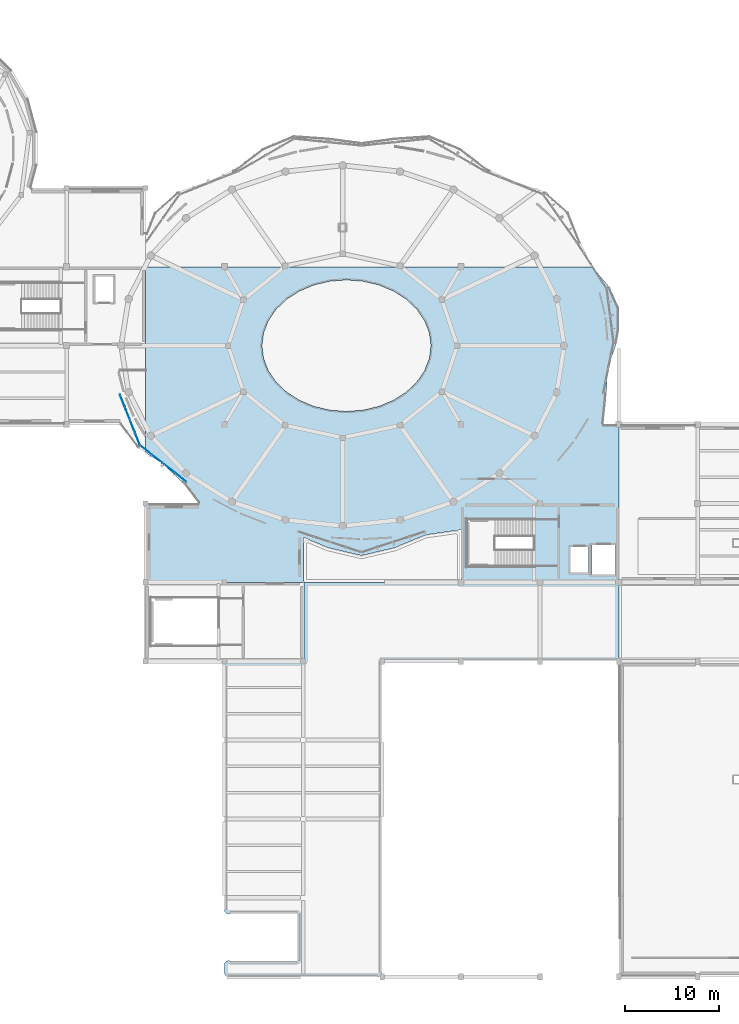
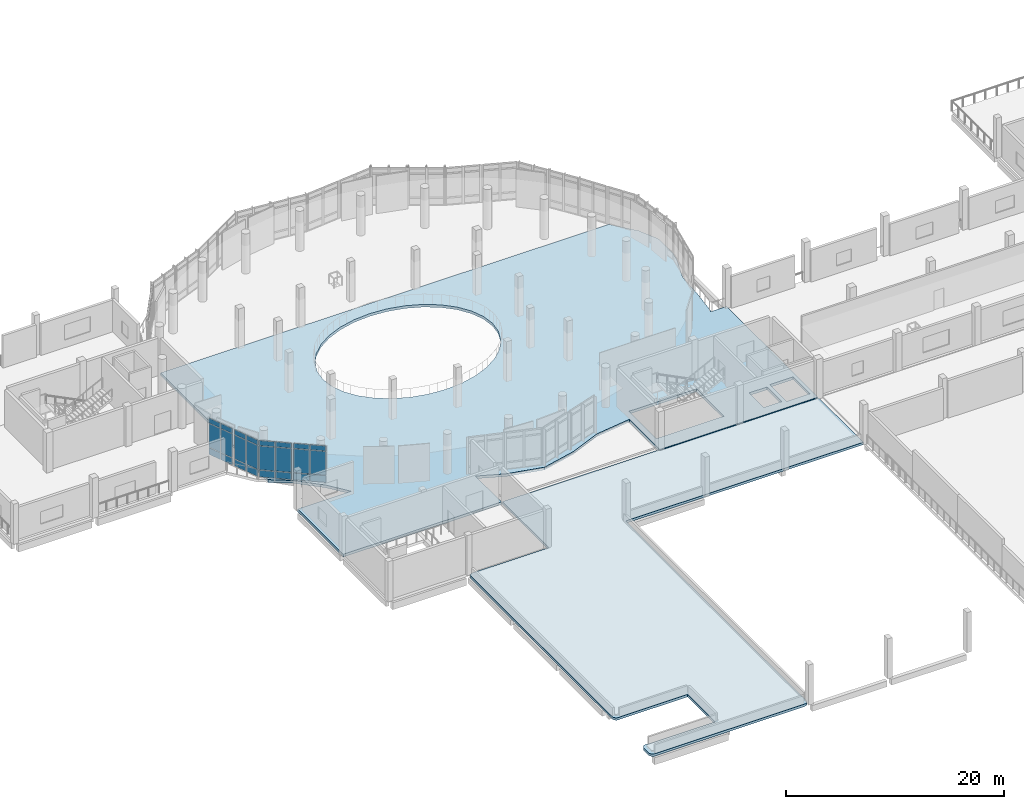
# One storey, part 21 of 46: 24 plates, 2 slabs, 4 elements without a shape of their own.
"""IFC4 building model written with IfcOpenShell, lengths in metres."""

import ifcopenshell
import ifcopenshell.guid

model = None  # the IFC model being written
_history = None  # IfcOwnerHistory: only IFC2X3 demands one
_inside = {}  # id of a spatial element -> (the spatial element, [elements in it])
_under = {}  # id of a project, library or spatial element -> (it, [spatial elements below it])
_declared = {}  # id of a project -> (the project, [libraries it declares])
_typed = {}  # id of a type object -> (the type object, [elements of that type])
_made_of = {}  # id of a material, layer set ... -> (it, [elements and type objects made of it])


def new_model(schema):
    """Start an empty IFC model of exactly this schema.

    Asked for "IFC4X3", IfcOpenShell would pick the latest addendum, in which some entities
    have other attributes; the version numbers below select the first issue.
    IFC2X3 requires an IfcOwnerHistory on every rooted entity: one is made here for all.
    """
    global model, _history
    if schema == "IFC4X3":
        model = ifcopenshell.file(schema_version=(4, 3, 0, 0))
    else:
        model = ifcopenshell.file(schema=schema)
    _inside.clear()
    _under.clear()
    _declared.clear()
    _typed.clear()
    _made_of.clear()
    _history = None
    if model.schema == "IFC2X3":
        org = make("IfcOrganization", Name="unknown")
        user = make(
            "IfcPersonAndOrganization",
            ThePerson=make("IfcPerson", FamilyName="unknown"),
            TheOrganization=org,
        )
        app = make(
            "IfcApplication",
            ApplicationDeveloper=org,
            Version="unknown",
            ApplicationFullName="unknown",
            ApplicationIdentifier="unknown",
        )
        _history = make(
            "IfcOwnerHistory",
            OwningUser=user,
            OwningApplication=app,
            ChangeAction="ADDED",
            CreationDate=0,
        )
    return model


def make(cls, **values):
    """One entity of the class cls with the attributes given. An attribute that is None is left unset."""
    return model.create_entity(
        cls, **{name: value for name, value in values.items() if value is not None}
    )


def rooted(cls, **values):
    """An entity with a GlobalId (a new one), such as an element, a storey or a relation."""
    return make(cls, GlobalId=ifcopenshell.guid.new(), OwnerHistory=_history, **values)


def si_unit(unit_type, name, prefix=None):
    """IfcSIUnit, for example si_unit("LENGTHUNIT", "METRE", prefix="MILLI")."""
    return make("IfcSIUnit", UnitType=unit_type, Prefix=prefix, Name=name)


def derived_unit(unit_type, elements):
    """IfcDerivedUnit: a product of units, each with its exponent."""
    return make(
        "IfcDerivedUnit",
        Elements=[
            make("IfcDerivedUnitElement", Unit=unit, Exponent=power)
            for unit, power in elements
        ],
        UnitType=unit_type,
    )


def assignment(units):
    """IfcUnitAssignment: the units of a project."""
    return None if units is None else make("IfcUnitAssignment", Units=units)


def point(xyz):
    """IfcCartesianPoint."""
    return None if xyz is None else make("IfcCartesianPoint", Coordinates=xyz)


def direction(xyz):
    """IfcDirection."""
    return None if xyz is None else make("IfcDirection", DirectionRatios=xyz)


def frame(location, z_axis=None, x_axis=None):
    """IfcAxis2Placement3D, a coordinate frame: its origin and axes. An axis left out is left unset."""
    return make(
        "IfcAxis2Placement3D",
        Location=point(location),
        Axis=direction(z_axis),
        RefDirection=direction(x_axis),
    )


def frame_2d(location, x_axis=None):
    """IfcAxis2Placement2D, a coordinate frame in the plane: its origin and x axis."""
    return make(
        "IfcAxis2Placement2D", Location=point(location), RefDirection=direction(x_axis)
    )


def origin():
    """The frame at (0, 0, 0) with its axes left unset."""
    return frame((0.0, 0.0, 0.0))


def origin_2d():
    """The frame at (0, 0) in the plane with its x axis left unset."""
    return frame_2d((0.0, 0.0))


def place(relative_to, where):
    """IfcLocalPlacement: puts the frame where relative to a parent placement (None: the world)."""
    return make(
        "IfcLocalPlacement", PlacementRelTo=relative_to, RelativePlacement=where
    )


def context(
    kind, dimensions, precision=None, world=None, true_north=None, identifier=None
):
    """IfcGeometricRepresentationContext, for example the 3D "Model" context."""
    return make(
        "IfcGeometricRepresentationContext",
        ContextIdentifier=identifier,
        ContextType=kind,
        CoordinateSpaceDimension=dimensions,
        Precision=precision,
        WorldCoordinateSystem=world,
        TrueNorth=true_north,
    )


def subcontext(parent, identifier, kind, view, scale=None):
    """IfcGeometricRepresentationSubContext, for example "Body" below "Model"."""
    return make(
        "IfcGeometricRepresentationSubContext",
        ContextIdentifier=identifier,
        ContextType=kind,
        ParentContext=parent,
        TargetScale=scale,
        TargetView=view,
    )


def project(units=None, contexts=None):
    """IfcProject with its units and contexts."""
    return rooted(
        "IfcProject",
        Name="project",
        RepresentationContexts=contexts,
        UnitsInContext=assignment(units),
    )


def spatial(cls, under=None, at=None, **own):
    """A site, building, storey or space (cls), placed at a placement, below another one or the project."""
    s = rooted(cls, ObjectPlacement=at, **own)
    if under is not None:
        _under.setdefault(under.id(), (under, []))[1].append(s)
    return s


def polyline(points):
    """IfcPolyline through the points."""
    return make("IfcPolyline", Points=[point(p) for p in points])


def profile(cls, at=None, kind="AREA", **sizes):
    """A parametric profile (cls). Its sizes go by their IFC names, for example OverallWidth=200.0."""
    return make(cls, ProfileType=kind, Position=at, **sizes)


def rectangle(**sizes):
    """IfcRectangleProfileDef."""
    return profile("IfcRectangleProfileDef", **sizes)


def outline(outer, holes=None, kind="AREA"):
    """IfcArbitraryClosedProfileDef: a profile drawn as a closed curve; with holes, ...WithVoids."""
    if holes is None:
        return make("IfcArbitraryClosedProfileDef", ProfileType=kind, OuterCurve=outer)
    return make(
        "IfcArbitraryProfileDefWithVoids",
        ProfileType=kind,
        OuterCurve=outer,
        InnerCurves=holes,
    )


def extrude(swept, where, along, depth):
    """IfcExtrudedAreaSolid: the profile swept, set in the frame where, extruded along a direction by depth."""
    return make(
        "IfcExtrudedAreaSolid",
        SweptArea=swept,
        Position=where,
        ExtrudedDirection=direction(along),
        Depth=depth,
    )


def shape(context_of_items, identifier, shape_type, items):
    """IfcShapeRepresentation: the items that make up one representation, for example the "Body"."""
    return make(
        "IfcShapeRepresentation",
        ContextOfItems=context_of_items,
        RepresentationIdentifier=identifier,
        RepresentationType=shape_type,
        Items=items,
    )


def material(Name=None, Category=None):
    """IfcMaterial."""
    return make("IfcMaterial", Name=Name, Category=Category)


def layer(
    of_material, thickness, ventilated=None, Name=None, Category=None, Priority=None
):
    """IfcMaterialLayer: one layer of a wall or slab, of a material (None: an air gap)."""
    return make(
        "IfcMaterialLayer",
        Material=of_material,
        LayerThickness=thickness,
        IsVentilated=ventilated,
        Name=Name,
        Category=Category,
        Priority=Priority,
    )


def layer_set(layers, Name=None):
    """IfcMaterialLayerSet."""
    return make("IfcMaterialLayerSet", MaterialLayers=layers, LayerSetName=Name)


def made_of(thing, what):
    """Note that an element or type object is made of a material, layer set ...; save() writes the relation."""
    if what is not None:
        _made_of.setdefault(what.id(), (what, []))[1].append(thing)
    return thing


def type_object(cls, material=None, **own):
    """A type object (cls), such as IfcWallType, which elements share."""
    return made_of(rooted(cls, **own), material)


def element(
    cls,
    number,
    at=None,
    inside=None,
    cuts=None,
    type_object=None,
    material=None,
    context=None,
    identifier="Body",
    shape_type=None,
    held_by="IfcProductDefinitionShape",
    body=None,
    shapes=None,
    **own,
):
    """One element of the class cls, such as IfcWall. Its Tag is "e" and its number.

    at: its placement. inside: the storey or other place that contains it. cuts: it is an
    opening in that element (IfcRelVoidsElement). A single representation is given by context,
    identifier, shape_type and body (its items); several are given by shapes. held_by: the class
    of the entity that holds the representations. save() writes the other relations.
    """
    e = rooted(cls, Tag="e%d" % number, ObjectPlacement=at, **own)
    if body is not None:
        shapes = [shape(context, identifier, shape_type, body)]
    if shapes is not None:
        e.Representation = make(held_by, Representations=shapes)
    if inside is not None:
        _inside.setdefault(inside.id(), (inside, []))[1].append(e)
    if cuts is not None:
        rooted(
            "IfcRelVoidsElement", RelatingBuildingElement=cuts, RelatedOpeningElement=e
        )
    if type_object is not None:
        _typed.setdefault(type_object.id(), (type_object, []))[1].append(e)
    return made_of(e, material)


def aggregate(whole, parts):
    """IfcRelAggregates: a whole, such as a stair, and the parts it consists of."""
    return rooted("IfcRelAggregates", RelatingObject=whole, RelatedObjects=parts)


def save(model, path):
    """Write the relations noted so far, then the file.

    IfcRelAggregates (storeys below a building ...), IfcRelContainedInSpatialStructure (elements
    in a storey), IfcRelDefinesByType, IfcRelAssociatesMaterial and IfcRelDeclares: one each for
    every whole, place, type object, material and project.
    """
    for whole, parts in _under.values():
        aggregate(whole, parts)
    for where, things in _inside.values():
        rooted(
            "IfcRelContainedInSpatialStructure",
            RelatedElements=things,
            RelatingStructure=where,
        )
    for kind, things in _typed.values():
        rooted("IfcRelDefinesByType", RelatedObjects=things, RelatingType=kind)
    for what, things in _made_of.values():
        rooted("IfcRelAssociatesMaterial", RelatedObjects=things, RelatingMaterial=what)
    for by, libraries in _declared.values():
        rooted("IfcRelDeclares", RelatingContext=by, RelatedDefinitions=libraries)
    model.write(path)


model = new_model("IFC4")

# Units and contexts
model_context = context("Model", 3, precision=1e-05, world=origin(), true_north=direction((0.0, 1.0)))
body_context = subcontext(model_context, "Body", "Model", "MODEL_VIEW")
ifc_project = project(units=[si_unit("LENGTHUNIT", "METRE"), si_unit("AREAUNIT", "SQUARE_METRE"), si_unit("VOLUMEUNIT", "CUBIC_METRE"), si_unit("PLANEANGLEUNIT", "RADIAN"), si_unit("MASSUNIT", "GRAM", prefix="KILO"), derived_unit("THERMALTRANSMITTANCEUNIT", [(si_unit("POWERUNIT", "WATT"), 1), (si_unit("LENGTHUNIT", "METRE"), -2), (si_unit("THERMODYNAMICTEMPERATUREUNIT", "KELVIN"), -1)])], contexts=[model_context])

# Site, building, storey
site_placement = place(None, origin())
site = spatial("IfcSite", under=ifc_project, at=site_placement, CompositionType="ELEMENT")
building_placement = place(site_placement, origin())
building = spatial("IfcBuilding", under=site, at=building_placement, Name="Elbkamm Science Centre", CompositionType="ELEMENT")
storey_placement = place(building_placement, frame((0.0, 0.0, 9.89990234375)))
storey = spatial("IfcBuildingStorey", under=building, at=storey_placement, Name="L02", CompositionType="ELEMENT", Elevation=9.89990234375)

# Curtain wall, plates
ifc_material_1 = material(Name="Powder-coated aluminium and triple low-E glazing", Category="aluminium")
ifc_layer_1 = layer(ifc_material_1, 0.159912109375)
ifc_layer_set_1 = layer_set([ifc_layer_1], Name="Powder-coated aluminium and triple low-E glazing")
curtain_wall_type_1 = type_object("IfcCurtainWallType", Name="CW-UNIT-2900x4220", PredefinedType="USERDEFINED", material=ifc_layer_set_1)
curtain_wall_1_placement = place(storey_placement, origin())
curtain_wall_1 = element("IfcCurtainWall", 1, at=curtain_wall_1_placement, inside=storey, type_object=curtain_wall_type_1, Name="L02 Unitised Curtain Wall 036", ObjectType="UNITISED CURTAIN WALL", PredefinedType="USERDEFINED")
ifc_material_2 = material(Name="Triple solar-control insulated safety glass", Category="glass")
ifc_layer_2 = layer(ifc_material_2, 0.0400390625)
ifc_layer_set_2 = layer_set([ifc_layer_2], Name="Triple solar-control insulated safety glass")
plate_type = type_object("IfcPlateType", Name="CW-PNL-40", PredefinedType="CURTAIN_PANEL", material=ifc_layer_set_2)
plate_1_placement = place(storey_placement, frame((39.528076171875, 61.357666015625, 0.070068359375), z_axis=(0.0, 0.0, 1.0), x_axis=(0.368193274395, -0.9297492741, 0.0)))
plate_1 = element("IfcPlate", 2, at=plate_1_placement, type_object=plate_type, Name="CW-016 panel 1.1", PredefinedType="CURTAIN_PANEL", context=body_context, shape_type="SweptSolid", body=[
    extrude(rectangle(XDim=1.34375, YDim=0.0400390625, at=origin_2d()), origin(), (0.0, 0.0, 1.0), 0.7451171875),
])
plate_2_placement = place(storey_placement, frame((39.528076171875, 61.357666015625, 0.88525390625), z_axis=(0.0, 0.0, 1.0), x_axis=(0.368193274395, -0.9297492741, 0.0)))
plate_2 = element("IfcPlate", 3, at=plate_2_placement, type_object=plate_type, Name="CW-016 panel 1.2", PredefinedType="CURTAIN_PANEL", context=body_context, shape_type="SweptSolid", body=[
    extrude(rectangle(XDim=1.34375, YDim=0.0400390625, at=origin_2d()), origin(), (0.0, 0.0, 1.0), 2.64990234375),
])
plate_3_placement = place(storey_placement, frame((39.528076171875, 61.357666015625, 3.605224609375), z_axis=(0.0, 0.0, 1.0), x_axis=(0.368193274395, -0.9297492741, 0.0)))
plate_3 = element("IfcPlate", 4, at=plate_3_placement, type_object=plate_type, Name="CW-016 panel 1.3", PredefinedType="CURTAIN_PANEL", context=body_context, shape_type="SweptSolid", body=[
    extrude(rectangle(XDim=1.34375, YDim=0.0400390625, at=origin_2d()), origin(), (0.0, 0.0, 1.0), 0.544921875),
])
plate_4_placement = place(storey_placement, frame((40.048583984375, 60.043212890625, 0.070068359375), z_axis=(0.0, 0.0, 1.0), x_axis=(0.368193274395, -0.9297492741, 0.0)))
plate_4 = element("IfcPlate", 5, at=plate_4_placement, type_object=plate_type, Name="CW-016 panel 2.1", PredefinedType="CURTAIN_PANEL", context=body_context, shape_type="SweptSolid", body=[
    extrude(rectangle(XDim=1.34375, YDim=0.0400390625, at=origin_2d()), origin(), (0.0, 0.0, 1.0), 0.7451171875),
])
plate_5_placement = place(storey_placement, frame((40.048583984375, 60.043212890625, 0.88525390625), z_axis=(0.0, 0.0, 1.0), x_axis=(0.368193274395, -0.9297492741, 0.0)))
plate_5 = element("IfcPlate", 6, at=plate_5_placement, type_object=plate_type, Name="CW-016 panel 2.2", PredefinedType="CURTAIN_PANEL", context=body_context, shape_type="SweptSolid", body=[
    extrude(rectangle(XDim=1.34375, YDim=0.0400390625, at=origin_2d()), origin(), (0.0, 0.0, 1.0), 2.64990234375),
])
plate_6_placement = place(storey_placement, frame((40.048583984375, 60.043212890625, 3.605224609375), z_axis=(0.0, 0.0, 1.0), x_axis=(0.368193274395, -0.9297492741, 0.0)))
plate_6 = element("IfcPlate", 7, at=plate_6_placement, type_object=plate_type, Name="CW-016 panel 2.3", PredefinedType="CURTAIN_PANEL", context=body_context, shape_type="SweptSolid", body=[
    extrude(rectangle(XDim=1.34375, YDim=0.0400390625, at=origin_2d()), origin(), (0.0, 0.0, 1.0), 0.544921875),
])
aggregate(curtain_wall_1, [plate_1, plate_2, plate_3, plate_4, plate_5, plate_6])

curtain_wall_2_placement = place(storey_placement, origin())
curtain_wall_2 = element("IfcCurtainWall", 8, at=curtain_wall_2_placement, inside=storey, type_object=curtain_wall_type_1, Name="L02 Unitised Curtain Wall 037", ObjectType="UNITISED CURTAIN WALL", PredefinedType="USERDEFINED")
plate_7_placement = place(storey_placement, frame((40.624267578125, 58.58935546875, 0.070068359375), z_axis=(0.0, 0.0, 1.0), x_axis=(0.368193274395, -0.9297492741, 0.0)))
plate_7 = element("IfcPlate", 9, at=plate_7_placement, type_object=plate_type, Name="CW-016 panel 1.1", PredefinedType="CURTAIN_PANEL", context=body_context, shape_type="SweptSolid", body=[
    extrude(rectangle(XDim=1.34375, YDim=0.0400390625, at=origin_2d()), origin(), (0.0, 0.0, 1.0), 0.7451171875),
])
plate_8_placement = place(storey_placement, frame((40.624267578125, 58.58935546875, 0.88525390625), z_axis=(0.0, 0.0, 1.0), x_axis=(0.368193274395, -0.9297492741, 0.0)))
plate_8 = element("IfcPlate", 10, at=plate_8_placement, type_object=plate_type, Name="CW-016 panel 1.2", PredefinedType="CURTAIN_PANEL", context=body_context, shape_type="SweptSolid", body=[
    extrude(rectangle(XDim=1.34375, YDim=0.0400390625, at=origin_2d()), origin(), (0.0, 0.0, 1.0), 2.64990234375),
])
plate_9_placement = place(storey_placement, frame((40.624267578125, 58.58935546875, 3.605224609375), z_axis=(0.0, 0.0, 1.0), x_axis=(0.368193274395, -0.9297492741, 0.0)))
plate_9 = element("IfcPlate", 11, at=plate_9_placement, type_object=plate_type, Name="CW-016 panel 1.3", PredefinedType="CURTAIN_PANEL", context=body_context, shape_type="SweptSolid", body=[
    extrude(rectangle(XDim=1.34375, YDim=0.0400390625, at=origin_2d()), origin(), (0.0, 0.0, 1.0), 0.544921875),
])
plate_10_placement = place(storey_placement, frame((41.14501953125, 57.27490234375, 0.070068359375), z_axis=(0.0, 0.0, 1.0), x_axis=(0.368193274395, -0.9297492741, 0.0)))
plate_10 = element("IfcPlate", 12, at=plate_10_placement, type_object=plate_type, Name="CW-016 panel 2.1", PredefinedType="CURTAIN_PANEL", context=body_context, shape_type="SweptSolid", body=[
    extrude(rectangle(XDim=1.34375, YDim=0.0400390625, at=origin_2d()), origin(), (0.0, 0.0, 1.0), 0.7451171875),
])
plate_11_placement = place(storey_placement, frame((41.14501953125, 57.27490234375, 0.88525390625), z_axis=(0.0, 0.0, 1.0), x_axis=(0.368193274395, -0.9297492741, 0.0)))
plate_11 = element("IfcPlate", 13, at=plate_11_placement, type_object=plate_type, Name="CW-016 panel 2.2", PredefinedType="CURTAIN_PANEL", context=body_context, shape_type="SweptSolid", body=[
    extrude(rectangle(XDim=1.34375, YDim=0.0400390625, at=origin_2d()), origin(), (0.0, 0.0, 1.0), 2.64990234375),
])
plate_12_placement = place(storey_placement, frame((41.14501953125, 57.27490234375, 3.605224609375), z_axis=(0.0, 0.0, 1.0), x_axis=(0.368193274395, -0.9297492741, 0.0)))
plate_12 = element("IfcPlate", 14, at=plate_12_placement, type_object=plate_type, Name="CW-016 panel 2.3", PredefinedType="CURTAIN_PANEL", context=body_context, shape_type="SweptSolid", body=[
    extrude(rectangle(XDim=1.34375, YDim=0.0400390625, at=origin_2d()), origin(), (0.0, 0.0, 1.0), 0.544921875),
])
aggregate(curtain_wall_2, [plate_7, plate_8, plate_9, plate_10, plate_11, plate_12])

ifc_layer_3 = layer(ifc_material_1, 0.159912109375)
ifc_layer_set_3 = layer_set([ifc_layer_3], Name="Powder-coated aluminium and triple low-E glazing")
curtain_wall_type_2 = type_object("IfcCurtainWallType", Name="CW-UNIT-3120x4220", PredefinedType="USERDEFINED", material=ifc_layer_set_3)
curtain_wall_3_placement = place(storey_placement, origin())
curtain_wall_3 = element("IfcCurtainWall", 15, at=curtain_wall_3_placement, inside=storey, type_object=curtain_wall_type_2, Name="L02 Unitised Curtain Wall 038", ObjectType="UNITISED CURTAIN WALL", PredefinedType="USERDEFINED")
plate_13_placement = place(storey_placement, frame((42.0458984375, 56.091064453125, 0.070068359375), z_axis=(0.0, 0.0, 1.0), x_axis=(0.786005144768, -0.618219954707, 0.0)))
plate_13 = element("IfcPlate", 16, at=plate_13_placement, type_object=plate_type, Name="CW-017 panel 1.1", PredefinedType="CURTAIN_PANEL", context=body_context, shape_type="SweptSolid", body=[
    extrude(rectangle(XDim=1.457763671875, YDim=0.0400390625, at=origin_2d()), origin(), (0.0, 0.0, 1.0), 0.7451171875),
])
plate_14_placement = place(storey_placement, frame((42.0458984375, 56.091064453125, 0.88525390625), z_axis=(0.0, 0.0, 1.0), x_axis=(0.786005144768, -0.618219954707, 0.0)))
plate_14 = element("IfcPlate", 17, at=plate_14_placement, type_object=plate_type, Name="CW-017 panel 1.2", PredefinedType="CURTAIN_PANEL", context=body_context, shape_type="SweptSolid", body=[
    extrude(rectangle(XDim=1.457763671875, YDim=0.0400390625, at=origin_2d()), origin(), (0.0, 0.0, 1.0), 2.64990234375),
])
plate_15_placement = place(storey_placement, frame((42.0458984375, 56.091064453125, 3.605224609375), z_axis=(0.0, 0.0, 1.0), x_axis=(0.786005144768, -0.618219954707, 0.0)))
plate_15 = element("IfcPlate", 18, at=plate_15_placement, type_object=plate_type, Name="CW-017 panel 1.3", PredefinedType="CURTAIN_PANEL", context=body_context, shape_type="SweptSolid", body=[
    extrude(rectangle(XDim=1.457763671875, YDim=0.0400390625, at=origin_2d()), origin(), (0.0, 0.0, 1.0), 0.544921875),
])
plate_16_placement = place(storey_placement, frame((43.246826171875, 55.146728515625, 0.070068359375), z_axis=(0.0, 0.0, 1.0), x_axis=(0.786005144768, -0.618219954707, 0.0)))
plate_16 = element("IfcPlate", 19, at=plate_16_placement, type_object=plate_type, Name="CW-017 panel 2.1", PredefinedType="CURTAIN_PANEL", context=body_context, shape_type="SweptSolid", body=[
    extrude(rectangle(XDim=1.457763671875, YDim=0.0400390625, at=origin_2d()), origin(), (0.0, 0.0, 1.0), 0.7451171875),
])
plate_17_placement = place(storey_placement, frame((43.246826171875, 55.146728515625, 0.88525390625), z_axis=(0.0, 0.0, 1.0), x_axis=(0.786005144768, -0.618219954707, 0.0)))
plate_17 = element("IfcPlate", 20, at=plate_17_placement, type_object=plate_type, Name="CW-017 panel 2.2", PredefinedType="CURTAIN_PANEL", context=body_context, shape_type="SweptSolid", body=[
    extrude(rectangle(XDim=1.457763671875, YDim=0.0400390625, at=origin_2d()), origin(), (0.0, 0.0, 1.0), 2.64990234375),
])
plate_18_placement = place(storey_placement, frame((43.246826171875, 55.146728515625, 3.605224609375), z_axis=(0.0, 0.0, 1.0), x_axis=(0.786005144768, -0.618219954707, 0.0)))
plate_18 = element("IfcPlate", 21, at=plate_18_placement, type_object=plate_type, Name="CW-017 panel 2.3", PredefinedType="CURTAIN_PANEL", context=body_context, shape_type="SweptSolid", body=[
    extrude(rectangle(XDim=1.457763671875, YDim=0.0400390625, at=origin_2d()), origin(), (0.0, 0.0, 1.0), 0.544921875),
])
aggregate(curtain_wall_3, [plate_13, plate_14, plate_15, plate_16, plate_17, plate_18])

curtain_wall_4_placement = place(storey_placement, origin())
curtain_wall_4 = element("IfcCurtainWall", 22, at=curtain_wall_4_placement, inside=storey, type_object=curtain_wall_type_2, Name="L02 Unitised Curtain Wall 039", ObjectType="UNITISED CURTAIN WALL", PredefinedType="USERDEFINED")
plate_19_placement = place(storey_placement, frame((44.5654296875, 54.109375, 0.070068359375), z_axis=(0.0, 0.0, 1.0), x_axis=(0.786005144768, -0.618219954707, 0.0)))
plate_19 = element("IfcPlate", 23, at=plate_19_placement, type_object=plate_type, Name="CW-017 panel 1.1", PredefinedType="CURTAIN_PANEL", context=body_context, shape_type="SweptSolid", body=[
    extrude(rectangle(XDim=1.457763671875, YDim=0.0400390625, at=origin_2d()), origin(), (0.0, 0.0, 1.0), 0.7451171875),
])
plate_20_placement = place(storey_placement, frame((44.5654296875, 54.109375, 0.88525390625), z_axis=(0.0, 0.0, 1.0), x_axis=(0.786005144768, -0.618219954707, 0.0)))
plate_20 = element("IfcPlate", 24, at=plate_20_placement, type_object=plate_type, Name="CW-017 panel 1.2", PredefinedType="CURTAIN_PANEL", context=body_context, shape_type="SweptSolid", body=[
    extrude(rectangle(XDim=1.457763671875, YDim=0.0400390625, at=origin_2d()), origin(), (0.0, 0.0, 1.0), 2.64990234375),
])
plate_21_placement = place(storey_placement, frame((44.5654296875, 54.109375, 3.605224609375), z_axis=(0.0, 0.0, 1.0), x_axis=(0.786005144768, -0.618219954707, 0.0)))
plate_21 = element("IfcPlate", 25, at=plate_21_placement, type_object=plate_type, Name="CW-017 panel 1.3", PredefinedType="CURTAIN_PANEL", context=body_context, shape_type="SweptSolid", body=[
    extrude(rectangle(XDim=1.457763671875, YDim=0.0400390625, at=origin_2d()), origin(), (0.0, 0.0, 1.0), 0.544921875),
])
plate_22_placement = place(storey_placement, frame((45.766357421875, 53.1650390625, 0.070068359375), z_axis=(0.0, 0.0, 1.0), x_axis=(0.786005144768, -0.618219954707, 0.0)))
plate_22 = element("IfcPlate", 26, at=plate_22_placement, type_object=plate_type, Name="CW-017 panel 2.1", PredefinedType="CURTAIN_PANEL", context=body_context, shape_type="SweptSolid", body=[
    extrude(rectangle(XDim=1.457763671875, YDim=0.0400390625, at=origin_2d()), origin(), (0.0, 0.0, 1.0), 0.7451171875),
])
plate_23_placement = place(storey_placement, frame((45.766357421875, 53.1650390625, 0.88525390625), z_axis=(0.0, 0.0, 1.0), x_axis=(0.786005144768, -0.618219954707, 0.0)))
plate_23 = element("IfcPlate", 27, at=plate_23_placement, type_object=plate_type, Name="CW-017 panel 2.2", PredefinedType="CURTAIN_PANEL", context=body_context, shape_type="SweptSolid", body=[
    extrude(rectangle(XDim=1.457763671875, YDim=0.0400390625, at=origin_2d()), origin(), (0.0, 0.0, 1.0), 2.64990234375),
])
plate_24_placement = place(storey_placement, frame((45.766357421875, 53.1650390625, 3.605224609375), z_axis=(0.0, 0.0, 1.0), x_axis=(0.786005144768, -0.618219954707, 0.0)))
plate_24 = element("IfcPlate", 28, at=plate_24_placement, type_object=plate_type, Name="CW-017 panel 2.3", PredefinedType="CURTAIN_PANEL", context=body_context, shape_type="SweptSolid", body=[
    extrude(rectangle(XDim=1.457763671875, YDim=0.0400390625, at=origin_2d()), origin(), (0.0, 0.0, 1.0), 0.544921875),
])
aggregate(curtain_wall_4, [plate_19, plate_20, plate_21, plate_22, plate_23, plate_24])

# Slabs
ifc_material_3 = material(Name="Reinforced concrete C40/50", Category="concrete")
ifc_layer_4 = layer(ifc_material_3, 0.300048828125)
ifc_layer_set_4 = layer_set([ifc_layer_4], Name="Reinforced concrete C40/50")
slab_type_1 = type_object("IfcSlabType", Name="SLAB-FLR-300", PredefinedType="FLOOR", material=ifc_layer_set_4)
slab_1_placement = place(storey_placement, frame((0.0, 0.0, -0.2998046875)))
element("IfcSlab", 29, at=slab_1_placement, inside=storey, type_object=slab_type_1, Name="L02 Structural Slab CM-04", PredefinedType="FLOOR", context=body_context, shape_type="SweptSolid", body=[
    extrude(outline(polyline([(91.463134765625, 73.344970703125), (92.39990234375, 71.26708984375), (92.39990234375, 68.754638671875), (92.199951171875, 67.60009765625), (91.22021484375, 64.826904296875), (91.083251953125, 61.956787109375), (90.7783203125, 58.912353515625), (90.693115234375, 58.800048828125), (92.39990234375, 58.800048828125), (92.39990234375, 42.0), (75.60009765625, 42.0), (75.60009765625, 47.57958984375), (75.297607421875, 47.54345703125), (71.849853515625, 47.05859375), (68.563232421875, 45.68994140625), (65.0, 44.840087890625), (61.436767578125, 45.68994140625), (58.800048828125, 46.7880859375), (58.800048828125, 42.0), (42.0, 42.0), (42.0, 50.39990234375), (47.6875, 50.39990234375), (46.146728515625, 52.423583984375), (43.899169921875, 54.57421875), (42.0, 55.826416015625), (42.0, 75.60009765625), (89.604736328125, 75.60009765625), (91.463134765625, 73.344970703125)]), holes=[polyline([(57.035888671875, 62.250244140625), (58.39990234375, 61.379638671875), (59.955810546875, 60.73291015625), (61.644287109375, 60.33447265625), (63.39990234375, 60.199951171875), (65.15576171875, 60.33447265625), (66.84423828125, 60.73291015625), (68.400146484375, 61.379638671875), (69.763916015625, 62.250244140625), (70.88330078125, 63.31103515625), (71.71484375, 64.521240234375), (72.22705078125, 65.83447265625), (72.39990234375, 67.199951171875), (72.22705078125, 68.565673828125), (71.71484375, 69.87890625), (70.88330078125, 71.089111328125), (69.763916015625, 72.149658203125), (68.400146484375, 73.020263671875), (66.84423828125, 73.667236328125), (65.15576171875, 74.0654296875), (63.39990234375, 74.199951171875), (61.644287109375, 74.0654296875), (59.955810546875, 73.667236328125), (58.39990234375, 73.020263671875), (57.035888671875, 72.149658203125), (55.916748046875, 71.089111328125), (55.085205078125, 69.87890625), (54.572998046875, 68.565673828125), (54.39990234375, 67.199951171875), (54.572998046875, 65.83447265625), (55.085205078125, 64.521240234375), (55.916748046875, 63.31103515625), (57.035888671875, 62.250244140625)]), polyline([(76.199951171875, 48.719970703125), (76.199951171875, 43.679931640625), (83.3798828125, 43.679931640625), (83.3798828125, 48.719970703125), (76.199951171875, 48.719970703125)]), polyline([(87.25, 45.75), (87.25, 43.050048828125), (89.14990234375, 43.050048828125), (89.14990234375, 45.75), (87.25, 45.75)]), polyline([(92.050048828125, 45.949951171875), (89.550048828125, 45.949951171875), (89.550048828125, 42.85009765625), (92.050048828125, 42.85009765625), (92.050048828125, 45.949951171875)])]), origin(), (0.0, 0.0, 1.0), 0.2998046875),
])
ifc_layer_5 = layer(ifc_material_3, 0.27001953125)
ifc_layer_set_5 = layer_set([ifc_layer_5], Name="Reinforced concrete C40/50")
slab_type_2 = type_object("IfcSlabType", Name="SLAB-ROOF-270", PredefinedType="ROOF", material=ifc_layer_set_5)
slab_2_placement = place(storey_placement, frame((0.0, 0.0, -0.27001953125)))
element("IfcSlab", 30, at=slab_2_placement, inside=storey, type_object=slab_type_2, Name="L02 Step-Back Roof Slab 01", PredefinedType="ROOF", context=body_context, shape_type="SweptSolid", body=[
    extrude(outline(polyline([(50.408203125, 1.341796875), (50.41845703125, 1.3837890625), (50.4326171875, 1.42431640625), (50.45068359375, 1.463623046875), (50.47216796875, 1.500732421875), (50.497314453125, 1.535888671875), (50.525634765625, 1.568115234375), (50.556884765625, 1.597900390625), (50.5908203125, 1.624267578125), (50.627197265625, 1.647216796875), (50.66552734375, 1.666748046875), (50.705810546875, 1.6826171875), (50.7470703125, 1.6943359375), (50.789306640625, 1.7021484375), (50.832275390625, 1.7060546875), (50.87548828125, 1.70556640625), (50.918212890625, 1.701171875), (50.96044921875, 1.692626953125), (50.998779296875, 1.680908203125), (51.0, 1.6806640625), (51.0, 1.679931640625), (51.010986328125, 1.679931640625), (58.1689453125, 1.679931640625), (58.179931640625, 1.679931640625), (58.179931640625, 1.69091796875), (58.179931640625, 6.708984375), (58.179931640625, 6.719970703125), (58.1689453125, 6.719970703125), (51.010986328125, 6.719970703125), (51.0, 6.719970703125), (51.0, 6.719482421875), (50.998779296875, 6.718994140625), (50.96044921875, 6.70751953125), (50.918212890625, 6.698974609375), (50.87548828125, 6.6943359375), (50.832275390625, 6.694091796875), (50.789306640625, 6.69775390625), (50.7470703125, 6.70556640625), (50.705810546875, 6.717529296875), (50.66552734375, 6.733154296875), (50.627197265625, 6.752685546875), (50.5908203125, 6.77587890625), (50.556884765625, 6.80224609375), (50.525634765625, 6.831787109375), (50.497314453125, 6.8642578125), (50.47216796875, 6.899169921875), (50.45068359375, 6.936279296875), (50.4326171875, 6.9755859375), (50.41845703125, 7.01611328125), (50.408203125, 7.05810546875), (50.402099609375, 7.1005859375), (50.39990234375, 7.143798828125), (50.39990234375, 8.39990234375), (50.39990234375, 33.050048828125), (50.402099609375, 33.093994140625), (50.40869140625, 33.1376953125), (50.41943359375, 33.1806640625), (50.434326171875, 33.22216796875), (50.453125, 33.26220703125), (50.475830078125, 33.300048828125), (50.502197265625, 33.33544921875), (50.53173828125, 33.3681640625), (50.564453125, 33.39794921875), (50.60009765625, 33.42431640625), (50.637939453125, 33.447021484375), (50.677734375, 33.4658203125), (50.719482421875, 33.480712890625), (50.76220703125, 33.491455078125), (50.805908203125, 33.497802734375), (50.85009765625, 33.5), (58.79443359375, 33.5), (58.800048828125, 33.5), (58.809814453125, 33.50048828125), (58.819580078125, 33.501953125), (58.8291015625, 33.50439453125), (58.83837890625, 33.507568359375), (58.84716796875, 33.51171875), (58.855712890625, 33.516845703125), (58.86328125, 33.522705078125), (58.87060546875, 33.529296875), (58.877197265625, 33.53662109375), (58.883056640625, 33.54443359375), (58.88818359375, 33.552978515625), (58.892333984375, 33.561767578125), (58.895751953125, 33.571044921875), (58.898193359375, 33.58056640625), (58.8994140625, 33.590087890625), (58.89990234375, 33.60009765625), (58.89990234375, 33.60546875), (58.89990234375, 41.994384765625), (58.89990234375, 42.0), (75.5, 42.0), (75.50048828125, 41.990234375), (75.501953125, 41.98046875), (75.50439453125, 41.970947265625), (75.507568359375, 41.961669921875), (75.51171875, 41.952880859375), (75.516845703125, 41.9443359375), (75.522705078125, 41.9365234375), (75.529296875, 41.92919921875), (75.53662109375, 41.922607421875), (75.54443359375, 41.9169921875), (75.552978515625, 41.911865234375), (75.561767578125, 41.90771484375), (75.571044921875, 41.904296875), (75.58056640625, 41.90185546875), (75.590087890625, 41.900390625), (75.60009765625, 41.89990234375), (75.60546875, 41.89990234375), (92.39453125, 41.89990234375), (92.39990234375, 41.89990234375), (92.39990234375, 33.64990234375), (67.20556640625, 33.64990234375), (67.199951171875, 33.64990234375), (67.195068359375, 33.64990234375), (67.190185546875, 33.64892578125), (67.185546875, 33.647705078125), (67.180908203125, 33.646240234375), (67.176513671875, 33.64404296875), (67.172119140625, 33.6416015625), (67.168212890625, 33.638671875), (67.16455078125, 33.635498046875), (67.161376953125, 33.631591796875), (67.158447265625, 33.627685546875), (67.156005859375, 33.62353515625), (67.15380859375, 33.619140625), (67.152099609375, 33.614501953125), (67.15087890625, 33.60986328125), (67.150146484375, 33.60498046875), (67.14990234375, 33.60009765625), (67.14990234375, 33.594482421875), (67.14990234375, 0.449951171875), (67.147705078125, 0.406005859375), (67.141357421875, 0.3623046875), (67.130615234375, 0.3193359375), (67.11572265625, 0.27783203125), (67.096923828125, 0.23779296875), (67.07421875, 0.199951171875), (67.0478515625, 0.16455078125), (67.018310546875, 0.1318359375), (66.985595703125, 0.10205078125), (66.949951171875, 0.07568359375), (66.912109375, 0.052978515625), (66.872314453125, 0.0341796875), (66.83056640625, 0.019287109375), (66.787841796875, 0.008544921875), (66.744140625, 0.002197265625), (66.699951171875, 0.0), (50.85009765625, 0.0), (50.805908203125, 0.002197265625), (50.76220703125, 0.008544921875), (50.719482421875, 0.019287109375), (50.677734375, 0.0341796875), (50.637939453125, 0.052978515625), (50.60009765625, 0.07568359375), (50.564453125, 0.10205078125), (50.53173828125, 0.1318359375), (50.502197265625, 0.16455078125), (50.475830078125, 0.199951171875), (50.453125, 0.23779296875), (50.434326171875, 0.27783203125), (50.41943359375, 0.3193359375), (50.40869140625, 0.3623046875), (50.402099609375, 0.406005859375), (50.39990234375, 0.449951171875), (50.39990234375, 1.25634765625), (50.402099609375, 1.29931640625), (50.408203125, 1.341796875)])), origin(), (0.0, 0.0, 1.0), 0.27001953125),
])

save(model, "model.ifc")
